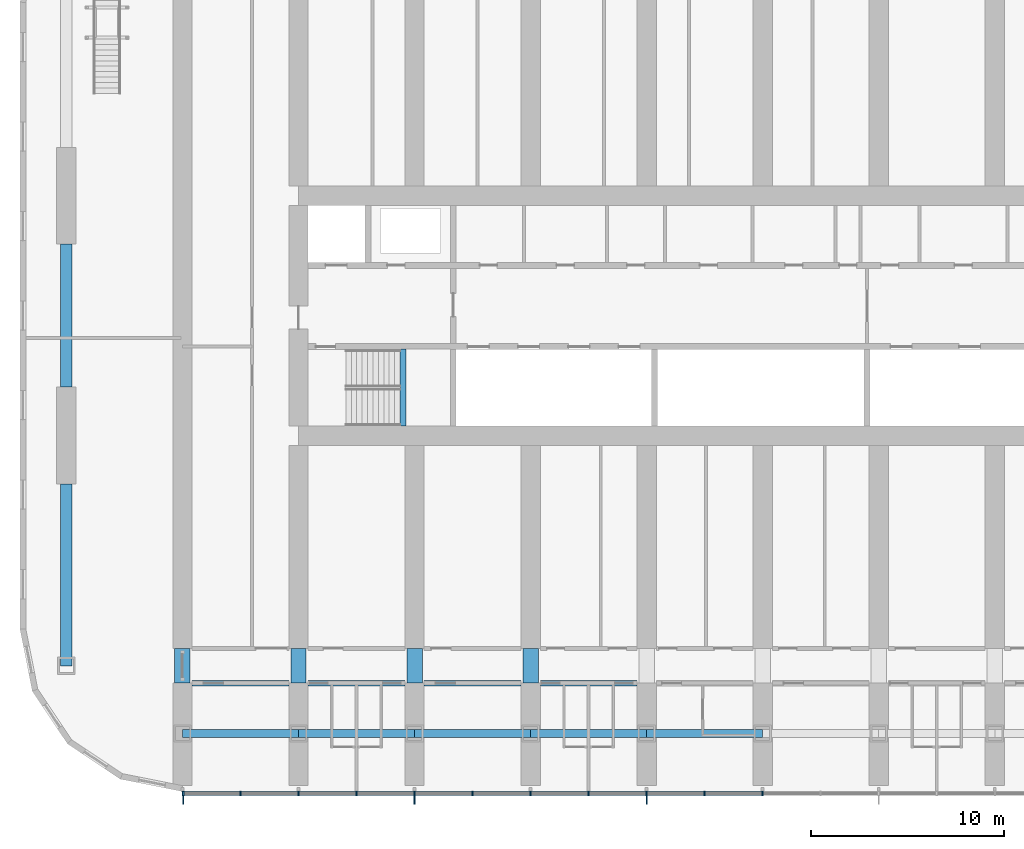
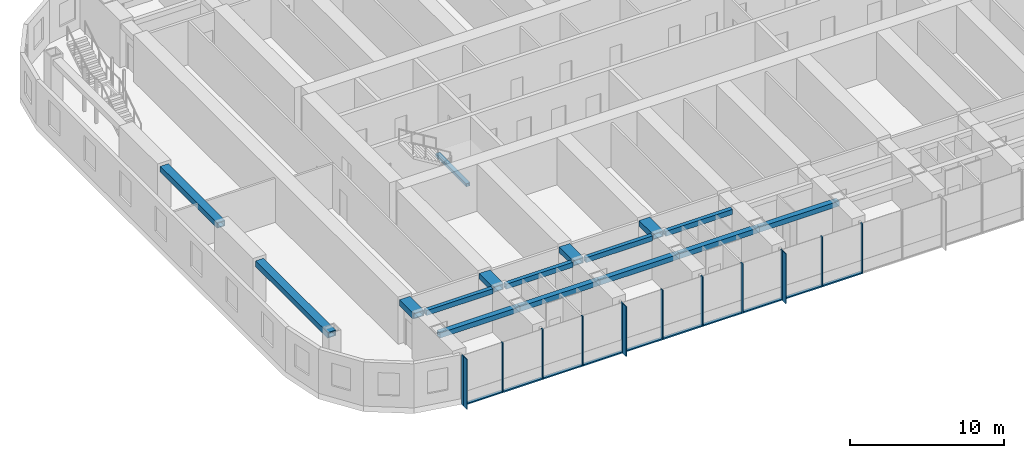
# One storey, part 4 of 26: 24 members, 16 beams, 1 element without a shape of its own.
"""IFC4 building model written with IfcOpenShell, lengths in metres."""

from ifc_helpers import new_model, si_unit, direction, frame, origin, origin_2d, place, context, subcontext, project, spatial, rectangle, hollow_rectangle, extrude, material, material_profile, profile_set, type_object, element, aggregate, save


model = new_model("IFC4")

# Units and contexts
model_context = context("Model", 3, precision=1e-05, world=origin(), true_north=direction((0.0, 1.0)))
body_context = subcontext(model_context, "Body", "Model", "MODEL_VIEW")
ifc_project = project(units=[si_unit("LENGTHUNIT", "METRE"), si_unit("AREAUNIT", "SQUARE_METRE"), si_unit("VOLUMEUNIT", "CUBIC_METRE"), si_unit("PLANEANGLEUNIT", "RADIAN"), si_unit("MASSUNIT", "GRAM", prefix="KILO")], contexts=[model_context])

# Site, building, storey
site_placement = place(None, origin())
site = spatial("IfcSite", under=ifc_project, at=site_placement, CompositionType="ELEMENT")
building_placement = place(site_placement, origin())
building = spatial("IfcBuilding", under=site, at=building_placement, Name="Orbita Commons", CompositionType="ELEMENT")
storey_placement = place(building_placement, frame((0.0, 0.0, 53.949951171875)))
storey = spatial("IfcBuildingStorey", under=building, at=storey_placement, Name="L13", CompositionType="ELEMENT", Elevation=53.949951171875)

# Curtain wall, members
ifc_material_1 = material(Name="Anodised aluminium frame, pale silver", Category="aluminium")
curtain_wall_type = type_object("IfcCurtainWallType", Name="Unitised curtain wall CW-T, vision and spandrel", PredefinedType="NOTDEFINED", material=ifc_material_1)
curtain_wall_placement = place(storey_placement, origin())
curtain_wall = element("IfcCurtainWall", 1, at=curtain_wall_placement, inside=storey, type_object=curtain_wall_type, Name="Curtain wall south L13", PredefinedType="NOTDEFINED")
ifc_material_2 = material(Name="Anodised aluminium, pale silver", Category="aluminium")
ifc_material_profile_1 = material_profile(ifc_material_2, rectangle(XDim=0.080078125, YDim=0.219970703125, at=origin_2d()), Name="AL 80x220")
ifc_profile_set_1 = profile_set([ifc_material_profile_1], Name="Anodised aluminium, pale silver")
member_type_1 = type_object("IfcMemberType", Name="Curtain wall mullion 80x220", PredefinedType="MULLION", material=ifc_profile_set_1)
member_1_placement = place(storey_placement, frame((12.0400390625, 7.2900390625, -0.449951171875), z_axis=(0.0, 0.0, 1.0), x_axis=(1.0, 0.0, 0.0)))
member_1 = element("IfcMember", 2, at=member_1_placement, type_object=member_type_1, Name="Mullion 1 CW-L13-S", PredefinedType="MULLION", context=body_context, shape_type="SweptSolid", body=[
    extrude(rectangle(XDim=0.080078125, YDim=0.219970703125, at=origin_2d()), origin(), (0.0, 0.0, 1.0), 3.949951171875),
])
member_2_placement = place(storey_placement, frame((15.0, 7.2900390625, -0.449951171875), z_axis=(0.0, 0.0, 1.0), x_axis=(1.0, 0.0, 0.0)))
member_2 = element("IfcMember", 3, at=member_2_placement, type_object=member_type_1, Name="Mullion 2 CW-L13-S", PredefinedType="MULLION", context=body_context, shape_type="SweptSolid", body=[
    extrude(rectangle(XDim=0.080078125, YDim=0.219970703125, at=origin_2d()), origin(), (0.0, 0.0, 1.0), 3.949951171875),
])
member_3_placement = place(storey_placement, frame((18.0, 7.2900390625, -0.449951171875), z_axis=(0.0, 0.0, 1.0), x_axis=(1.0, 0.0, 0.0)))
member_3 = element("IfcMember", 4, at=member_3_placement, type_object=member_type_1, Name="Mullion 3 CW-L13-S", PredefinedType="MULLION", context=body_context, shape_type="SweptSolid", body=[
    extrude(rectangle(XDim=0.080078125, YDim=0.219970703125, at=origin_2d()), origin(), (0.0, 0.0, 1.0), 3.949951171875),
])
member_4_placement = place(storey_placement, frame((21.0, 7.2900390625, -0.449951171875), z_axis=(0.0, 0.0, 1.0), x_axis=(1.0, 0.0, 0.0)))
member_4 = element("IfcMember", 5, at=member_4_placement, type_object=member_type_1, Name="Mullion 4 CW-L13-S", PredefinedType="MULLION", context=body_context, shape_type="SweptSolid", body=[
    extrude(rectangle(XDim=0.080078125, YDim=0.219970703125, at=origin_2d()), origin(), (0.0, 0.0, 1.0), 3.949951171875),
])
member_5_placement = place(storey_placement, frame((24.0, 7.2900390625, -0.449951171875), z_axis=(0.0, 0.0, 1.0), x_axis=(1.0, 0.0, 0.0)))
member_5 = element("IfcMember", 6, at=member_5_placement, type_object=member_type_1, Name="Mullion 5 CW-L13-S", PredefinedType="MULLION", context=body_context, shape_type="SweptSolid", body=[
    extrude(rectangle(XDim=0.080078125, YDim=0.219970703125, at=origin_2d()), origin(), (0.0, 0.0, 1.0), 3.949951171875),
])
member_6_placement = place(storey_placement, frame((27.0, 7.2900390625, -0.449951171875), z_axis=(0.0, 0.0, 1.0), x_axis=(1.0, 0.0, 0.0)))
member_6 = element("IfcMember", 7, at=member_6_placement, type_object=member_type_1, Name="Mullion 6 CW-L13-S", PredefinedType="MULLION", context=body_context, shape_type="SweptSolid", body=[
    extrude(rectangle(XDim=0.080078125, YDim=0.219970703125, at=origin_2d()), origin(), (0.0, 0.0, 1.0), 3.949951171875),
])
member_7_placement = place(storey_placement, frame((30.0, 7.2900390625, -0.449951171875), z_axis=(0.0, 0.0, 1.0), x_axis=(1.0, 0.0, 0.0)))
member_7 = element("IfcMember", 8, at=member_7_placement, type_object=member_type_1, Name="Mullion 7 CW-L13-S", PredefinedType="MULLION", context=body_context, shape_type="SweptSolid", body=[
    extrude(rectangle(XDim=0.080078125, YDim=0.219970703125, at=origin_2d()), origin(), (0.0, 0.0, 1.0), 3.949951171875),
])
member_8_placement = place(storey_placement, frame((33.0, 7.2900390625, -0.449951171875), z_axis=(0.0, 0.0, 1.0), x_axis=(1.0, 0.0, 0.0)))
member_8 = element("IfcMember", 9, at=member_8_placement, type_object=member_type_1, Name="Mullion 8 CW-L13-S", PredefinedType="MULLION", context=body_context, shape_type="SweptSolid", body=[
    extrude(rectangle(XDim=0.080078125, YDim=0.219970703125, at=origin_2d()), origin(), (0.0, 0.0, 1.0), 3.949951171875),
])
member_9_placement = place(storey_placement, frame((36.0, 7.2900390625, -0.449951171875), z_axis=(0.0, 0.0, 1.0), x_axis=(1.0, 0.0, 0.0)))
member_9 = element("IfcMember", 10, at=member_9_placement, type_object=member_type_1, Name="Mullion 9 CW-L13-S", PredefinedType="MULLION", context=body_context, shape_type="SweptSolid", body=[
    extrude(rectangle(XDim=0.080078125, YDim=0.219970703125, at=origin_2d()), origin(), (0.0, 0.0, 1.0), 3.949951171875),
])
member_10_placement = place(storey_placement, frame((39.0, 7.2900390625, -0.449951171875), z_axis=(0.0, 0.0, 1.0), x_axis=(1.0, 0.0, 0.0)))
member_10 = element("IfcMember", 11, at=member_10_placement, type_object=member_type_1, Name="Mullion 10 CW-L13-S", PredefinedType="MULLION", context=body_context, shape_type="SweptSolid", body=[
    extrude(rectangle(XDim=0.080078125, YDim=0.219970703125, at=origin_2d()), origin(), (0.0, 0.0, 1.0), 3.949951171875),
])
member_11_placement = place(storey_placement, frame((42.0, 7.2900390625, -0.449951171875), z_axis=(0.0, 0.0, 1.0), x_axis=(1.0, 0.0, 0.0)))
member_11 = element("IfcMember", 12, at=member_11_placement, type_object=member_type_1, Name="Mullion 11 CW-L13-S", PredefinedType="MULLION", context=body_context, shape_type="SweptSolid", body=[
    extrude(rectangle(XDim=0.080078125, YDim=0.219970703125, at=origin_2d()), origin(), (0.0, 0.0, 1.0), 3.949951171875),
])
ifc_material_3 = material(Name="Anodised aluminium, pale silver", Category="aluminium")
ifc_material_profile_2 = material_profile(ifc_material_3, rectangle(XDim=0.219970703125, YDim=0.10009765625, at=origin_2d()), Name="AL 220x100")
ifc_profile_set_2 = profile_set([ifc_material_profile_2], Name="Anodised aluminium, pale silver")
member_type_2 = type_object("IfcMemberType", Name="Curtain wall stack transom 220x100", PredefinedType="USERDEFINED", material=ifc_profile_set_2)
member_12_placement = place(storey_placement, frame((12.080078125, 7.2900390625, -0.39990234375), z_axis=(1.0, 0.0, 0.0), x_axis=(0.0, 1.0, 0.0)))
member_12 = element("IfcMember", 13, at=member_12_placement, type_object=member_type_2, Name="Transom 1.1 CW-L13-S", ObjectType="TRANSOM", PredefinedType="USERDEFINED", context=body_context, shape_type="SweptSolid", body=[
    extrude(rectangle(XDim=0.219970703125, YDim=0.10009765625, at=origin_2d()), origin(), (0.0, 0.0, 1.0), 2.8798828125),
])
member_13_placement = place(storey_placement, frame((15.0400390625, 7.2900390625, -0.39990234375), z_axis=(1.0, 0.0, 0.0), x_axis=(0.0, 1.0, 0.0)))
member_13 = element("IfcMember", 14, at=member_13_placement, type_object=member_type_2, Name="Transom 2.1 CW-L13-S", ObjectType="TRANSOM", PredefinedType="USERDEFINED", context=body_context, shape_type="SweptSolid", body=[
    extrude(rectangle(XDim=0.219970703125, YDim=0.10009765625, at=origin_2d()), origin(), (0.0, 0.0, 1.0), 2.919921875),
])
member_14_placement = place(storey_placement, frame((18.0400390625, 7.2900390625, -0.39990234375), z_axis=(1.0, 0.0, 0.0), x_axis=(0.0, 1.0, 0.0)))
member_14 = element("IfcMember", 15, at=member_14_placement, type_object=member_type_2, Name="Transom 3.1 CW-L13-S", ObjectType="TRANSOM", PredefinedType="USERDEFINED", context=body_context, shape_type="SweptSolid", body=[
    extrude(rectangle(XDim=0.219970703125, YDim=0.10009765625, at=origin_2d()), origin(), (0.0, 0.0, 1.0), 2.919921875),
])
member_15_placement = place(storey_placement, frame((21.0400390625, 7.2900390625, -0.39990234375), z_axis=(1.0, 0.0, 0.0), x_axis=(0.0, 1.0, 0.0)))
member_15 = element("IfcMember", 16, at=member_15_placement, type_object=member_type_2, Name="Transom 4.1 CW-L13-S", ObjectType="TRANSOM", PredefinedType="USERDEFINED", context=body_context, shape_type="SweptSolid", body=[
    extrude(rectangle(XDim=0.219970703125, YDim=0.10009765625, at=origin_2d()), origin(), (0.0, 0.0, 1.0), 2.919921875),
])
member_16_placement = place(storey_placement, frame((24.0400390625, 7.2900390625, -0.39990234375), z_axis=(1.0, 0.0, 0.0), x_axis=(0.0, 1.0, 0.0)))
member_16 = element("IfcMember", 17, at=member_16_placement, type_object=member_type_2, Name="Transom 5.1 CW-L13-S", ObjectType="TRANSOM", PredefinedType="USERDEFINED", context=body_context, shape_type="SweptSolid", body=[
    extrude(rectangle(XDim=0.219970703125, YDim=0.10009765625, at=origin_2d()), origin(), (0.0, 0.0, 1.0), 2.919921875),
])
member_17_placement = place(storey_placement, frame((27.0400390625, 7.2900390625, -0.39990234375), z_axis=(1.0, 0.0, 0.0), x_axis=(0.0, 1.0, 0.0)))
member_17 = element("IfcMember", 18, at=member_17_placement, type_object=member_type_2, Name="Transom 6.1 CW-L13-S", ObjectType="TRANSOM", PredefinedType="USERDEFINED", context=body_context, shape_type="SweptSolid", body=[
    extrude(rectangle(XDim=0.219970703125, YDim=0.10009765625, at=origin_2d()), origin(), (0.0, 0.0, 1.0), 2.919921875),
])
member_18_placement = place(storey_placement, frame((30.0400390625, 7.2900390625, -0.39990234375), z_axis=(1.0, 0.0, 0.0), x_axis=(0.0, 1.0, 0.0)))
member_18 = element("IfcMember", 19, at=member_18_placement, type_object=member_type_2, Name="Transom 7.1 CW-L13-S", ObjectType="TRANSOM", PredefinedType="USERDEFINED", context=body_context, shape_type="SweptSolid", body=[
    extrude(rectangle(XDim=0.219970703125, YDim=0.10009765625, at=origin_2d()), origin(), (0.0, 0.0, 1.0), 2.919921875),
])
member_19_placement = place(storey_placement, frame((33.0400390625, 7.2900390625, -0.39990234375), z_axis=(1.0, 0.0, 0.0), x_axis=(0.0, 1.0, 0.0)))
member_19 = element("IfcMember", 20, at=member_19_placement, type_object=member_type_2, Name="Transom 8.1 CW-L13-S", ObjectType="TRANSOM", PredefinedType="USERDEFINED", context=body_context, shape_type="SweptSolid", body=[
    extrude(rectangle(XDim=0.219970703125, YDim=0.10009765625, at=origin_2d()), origin(), (0.0, 0.0, 1.0), 2.919921875),
])
member_20_placement = place(storey_placement, frame((36.0400390625, 7.2900390625, -0.39990234375), z_axis=(1.0, 0.0, 0.0), x_axis=(0.0, 1.0, 0.0)))
member_20 = element("IfcMember", 21, at=member_20_placement, type_object=member_type_2, Name="Transom 9.1 CW-L13-S", ObjectType="TRANSOM", PredefinedType="USERDEFINED", context=body_context, shape_type="SweptSolid", body=[
    extrude(rectangle(XDim=0.219970703125, YDim=0.10009765625, at=origin_2d()), origin(), (0.0, 0.0, 1.0), 2.919921875),
])
member_21_placement = place(storey_placement, frame((39.0400390625, 7.2900390625, -0.39990234375), z_axis=(1.0, 0.0, 0.0), x_axis=(0.0, 1.0, 0.0)))
member_21 = element("IfcMember", 22, at=member_21_placement, type_object=member_type_2, Name="Transom 10.1 CW-L13-S", ObjectType="TRANSOM", PredefinedType="USERDEFINED", context=body_context, shape_type="SweptSolid", body=[
    extrude(rectangle(XDim=0.219970703125, YDim=0.10009765625, at=origin_2d()), origin(), (0.0, 0.0, 1.0), 2.919921875),
])

# Beams
ifc_material_4 = material(Name="Steel ASTM A572 Gr 50 welded plate", Category="steel")
ifc_material_profile_3 = material_profile(ifc_material_4, hollow_rectangle(XDim=0.300048828125, YDim=0.25, WallThickness=0.02490234375, at=origin_2d()), Name="BOX 250x300x25")
ifc_profile_set_3 = profile_set([ifc_material_profile_3], Name="Steel ASTM A572 Gr 50 welded plate")
beam_type_1 = type_object("IfcBeamType", Name="Stair landing beam steel BOX 250x300x25", PredefinedType="BEAM", material=ifc_profile_set_3)
beam_1_placement = place(storey_placement, frame((23.39990234375, 26.284912109375, 1.550048828125), z_axis=(0.0, 1.0, 0.0), x_axis=(-1.0, 0.0, 0.0)))
element("IfcBeam", 23, at=beam_1_placement, inside=storey, type_object=beam_type_1, Name="Stair S1 landing beam L13 1", PredefinedType="BEAM", context=body_context, shape_type="SweptSolid", body=[
    extrude(hollow_rectangle(XDim=0.300048828125, YDim=0.25, WallThickness=0.02490234375, at=origin_2d()), origin(), (0.0, 0.0, 1.0), 3.97998046875),
])
ifc_material_5 = material(Name="Steel ASTM A572 Gr 50 welded plate", Category="steel")
ifc_material_profile_4 = material_profile(ifc_material_5, hollow_rectangle(XDim=0.300048828125, YDim=0.39990234375, WallThickness=0.0400390625, at=origin_2d()), Name="BOX 400x300x40")
ifc_profile_set_4 = profile_set([ifc_material_profile_4], Name="Steel ASTM A572 Gr 50 welded plate")
beam_type_2 = type_object("IfcBeamType", Name="Steel corridor link BOX 400x300x40", PredefinedType="BEAM", material=ifc_profile_set_4)
for number, where, z_axis, x_axis, name in (
    (24, (12.5, 13.0, 3.300048828125), (1.0, 0.0, 0.0), (0.0, 1.0, 0.0), "Corridor beam SA 3-4 L13"),
    (25, (18.5, 13.0, 3.300048828125), (1.0, 0.0, 0.0), (0.0, 1.0, 0.0), "Corridor beam SA 4-5 L13"),
    (26, (24.5, 13.0, 3.300048828125), (1.0, 0.0, 0.0), (0.0, 1.0, 0.0), "Corridor beam SA 5-6 L13"),
    (27, (30.5, 13.0, 3.300048828125), (1.0, 0.0, 0.0), (0.0, 1.0, 0.0), "Corridor beam SA 6-7 L13"),
):
    element("IfcBeam", number, at=place(storey_placement, frame(where, z_axis=z_axis, x_axis=x_axis)), inside=storey, type_object=beam_type_2, Name=name, PredefinedType="BEAM", context=body_context, shape_type="SweptSolid", body=[
        extrude(hollow_rectangle(XDim=0.300048828125, YDim=0.39990234375, WallThickness=0.0400390625, at=origin_2d()), origin(), (0.0, 0.0, 1.0), 5.0),
    ])
ifc_material_6 = material(Name="Steel ASTM A572 Gr 50 welded plate", Category="steel")
ifc_material_profile_5 = material_profile(ifc_material_6, hollow_rectangle(XDim=0.800048828125, YDim=0.449951171875, WallThickness=0.06005859375, at=origin_2d()), Name="BOX 450x800x60")
ifc_profile_set_5 = profile_set([ifc_material_profile_5], Name="Steel ASTM A572 Gr 50 welded plate")
beam_type_3 = type_object("IfcBeamType", Name="Steel coupling link BOX 450x800x60", PredefinedType="LINTEL", material=ifc_profile_set_5)
for number, where, z_axis, x_axis, name in (
    (28, (12.0, 13.0, 3.275146484375), (0.0, 1.0, 0.0), (-1.0, 0.0, 0.0), "Coupling beam 3 south L13"),
    (29, (18.0, 13.0, 3.275146484375), (0.0, 1.0, 0.0), (-1.0, 0.0, 0.0), "Coupling beam 4 south L13"),
    (30, (24.0, 13.0, 3.275146484375), (0.0, 1.0, 0.0), (-1.0, 0.0, 0.0), "Coupling beam 5 south L13"),
    (31, (30.0, 13.0, 3.275146484375), (0.0, 1.0, 0.0), (-1.0, 0.0, 0.0), "Coupling beam 6 south L13"),
):
    element("IfcBeam", number, at=place(storey_placement, frame(where, z_axis=z_axis, x_axis=x_axis)), inside=storey, type_object=beam_type_3, Name=name, PredefinedType="LINTEL", context=body_context, shape_type="SweptSolid", body=[
        extrude(hollow_rectangle(XDim=0.800048828125, YDim=0.449951171875, WallThickness=0.06005859375, at=origin_2d()), origin(), (0.0, 0.0, 1.0), 1.800048828125),
    ])
ifc_material_7 = material(Name="Steel ASTM A572 Gr 50 welded plate", Category="steel")
ifc_material_profile_6 = material_profile(ifc_material_7, hollow_rectangle(XDim=0.60009765625, YDim=0.449951171875, WallThickness=0.06005859375, at=origin_2d()), Name="BOX 450x600x60")
ifc_profile_set_6 = profile_set([ifc_material_profile_6], Name="Steel ASTM A572 Gr 50 welded plate")
beam_type_4 = type_object("IfcBeamType", Name="Steel end frame link BOX 450x600x60", PredefinedType="BEAM", material=ifc_profile_set_6)
beam_2_placement = place(storey_placement, frame((6.0, 13.89990234375, 3.275146484375), z_axis=(0.0, 1.0, 0.0), x_axis=(-1.0, 0.0, 0.0)))
element("IfcBeam", 32, at=beam_2_placement, inside=storey, type_object=beam_type_4, Name="End frame beam 2 B-C L13", PredefinedType="BEAM", context=body_context, shape_type="SweptSolid", body=[
    extrude(hollow_rectangle(XDim=0.60009765625, YDim=0.449951171875, WallThickness=0.06005859375, at=origin_2d()), origin(), (0.0, 0.0, 1.0), 9.400146484375),
])
beam_3_placement = place(storey_placement, frame((6.0, 28.300048828125, 3.275146484375), z_axis=(0.0, 1.0, 0.0), x_axis=(-1.0, 0.0, 0.0)))
element("IfcBeam", 33, at=beam_3_placement, inside=storey, type_object=beam_type_4, Name="End frame beam 2 C-D L13", PredefinedType="BEAM", context=body_context, shape_type="SweptSolid", body=[
    extrude(hollow_rectangle(XDim=0.60009765625, YDim=0.449951171875, WallThickness=0.06005859375, at=origin_2d()), origin(), (0.0, 0.0, 1.0), 7.39990234375),
])
ifc_material_8 = material(Name="Steel ASTM A572 Gr 50 welded plate", Category="steel")
ifc_material_profile_7 = material_profile(ifc_material_8, hollow_rectangle(XDim=0.39990234375, YDim=0.39990234375, WallThickness=0.0400390625, at=origin_2d()), Name="BOX 400x400x40")
ifc_profile_set_7 = profile_set([ifc_material_profile_7], Name="Steel ASTM A572 Gr 50 welded plate")
beam_type_5 = type_object("IfcBeamType", Name="Steel spandrel BOX 400x400x40", PredefinedType="SPANDREL", material=ifc_profile_set_7)
for number, where, z_axis, x_axis, name in (
    (34, (12.0, 10.39990234375, 3.300048828125), (1.0, 0.0, 0.0), (0.0, 1.0, 0.0), "Spandrel beam B 3-4 L13"),
    (35, (18.0, 10.39990234375, 3.300048828125), (1.0, 0.0, 0.0), (0.0, 1.0, 0.0), "Spandrel beam B 4-5 L13"),
    (36, (24.0, 10.39990234375, 3.300048828125), (1.0, 0.0, 0.0), (0.0, 1.0, 0.0), "Spandrel beam B 5-6 L13"),
    (37, (30.0, 10.39990234375, 3.300048828125), (1.0, 0.0, 0.0), (0.0, 1.0, 0.0), "Spandrel beam B 6-7 L13"),
    (38, (36.0, 10.39990234375, 3.300048828125), (1.0, 0.0, 0.0), (0.0, 1.0, 0.0), "Spandrel beam B 7-8 L13"),
):
    element("IfcBeam", number, at=place(storey_placement, frame(where, z_axis=z_axis, x_axis=x_axis)), inside=storey, type_object=beam_type_5, Name=name, PredefinedType="SPANDREL", context=body_context, shape_type="SweptSolid", body=[
        extrude(hollow_rectangle(XDim=0.39990234375, YDim=0.39990234375, WallThickness=0.0400390625, at=origin_2d()), origin(), (0.0, 0.0, 1.0), 6.0),
    ])

# Member
ifc_material_9 = material(Name="Anodised aluminium, pale silver", Category="aluminium")
ifc_material_profile_8 = material_profile(ifc_material_9, rectangle(XDim=0.06005859375, YDim=0.449951171875, at=origin_2d()), Name="FIN 60x450")
ifc_profile_set_8 = profile_set([ifc_material_profile_8], Name="Anodised aluminium, pale silver")
member_type_3 = type_object("IfcMemberType", Name="Vertical fin 60x450 pale aluminium", PredefinedType="USERDEFINED", material=ifc_profile_set_8)
member_22_placement = place(storey_placement, frame((12.0400390625, 6.955078125, -0.449951171875), z_axis=(0.0, 0.0, 1.0), x_axis=(1.0, 0.0, 0.0)))
member_22 = element("IfcMember", 39, at=member_22_placement, type_object=member_type_3, Name="Fin 1 CW-L13-S", ObjectType="FIN", PredefinedType="USERDEFINED", context=body_context, shape_type="SweptSolid", body=[
    extrude(rectangle(XDim=0.06005859375, YDim=0.449951171875, at=origin_2d()), origin(), (0.0, 0.0, 1.0), 3.949951171875),
])

member_23_placement = place(storey_placement, frame((24.0, 6.955078125, -0.449951171875), z_axis=(0.0, 0.0, 1.0), x_axis=(1.0, 0.0, 0.0)))
member_23 = element("IfcMember", 40, at=member_23_placement, type_object=member_type_3, Name="Fin 5 CW-L13-S", ObjectType="FIN", PredefinedType="USERDEFINED", context=body_context, shape_type="SweptSolid", body=[
    extrude(rectangle(XDim=0.06005859375, YDim=0.449951171875, at=origin_2d()), origin(), (0.0, 0.0, 1.0), 3.949951171875),
])

member_24_placement = place(storey_placement, frame((36.0, 6.955078125, -0.449951171875), z_axis=(0.0, 0.0, 1.0), x_axis=(1.0, 0.0, 0.0)))
member_24 = element("IfcMember", 41, at=member_24_placement, type_object=member_type_3, Name="Fin 9 CW-L13-S", ObjectType="FIN", PredefinedType="USERDEFINED", context=body_context, shape_type="SweptSolid", body=[
    extrude(rectangle(XDim=0.06005859375, YDim=0.449951171875, at=origin_2d()), origin(), (0.0, 0.0, 1.0), 3.949951171875),
])

aggregate(curtain_wall, [member_1, member_22, member_2, member_3, member_4, member_5, member_23, member_6, member_7, member_8, member_9, member_24, member_10, member_11, member_12, member_13, member_14, member_15, member_16, member_17, member_18, member_19, member_20, member_21])

save(model, "model.ifc")
